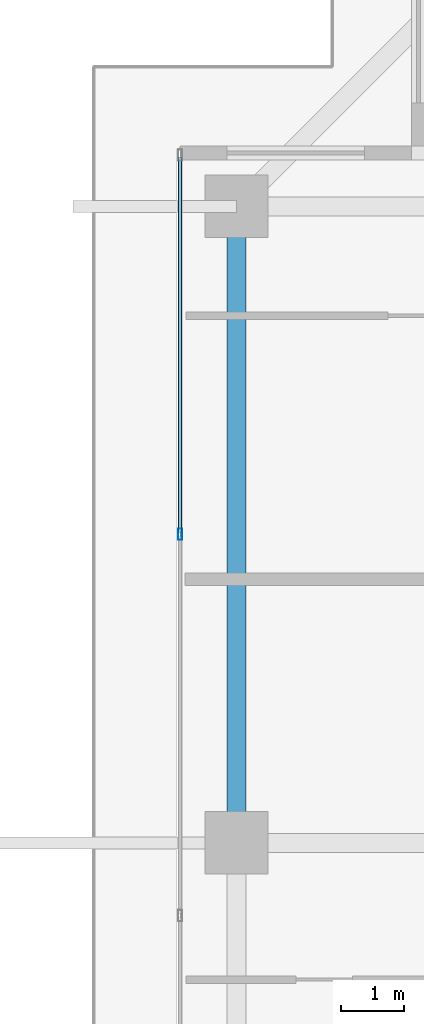
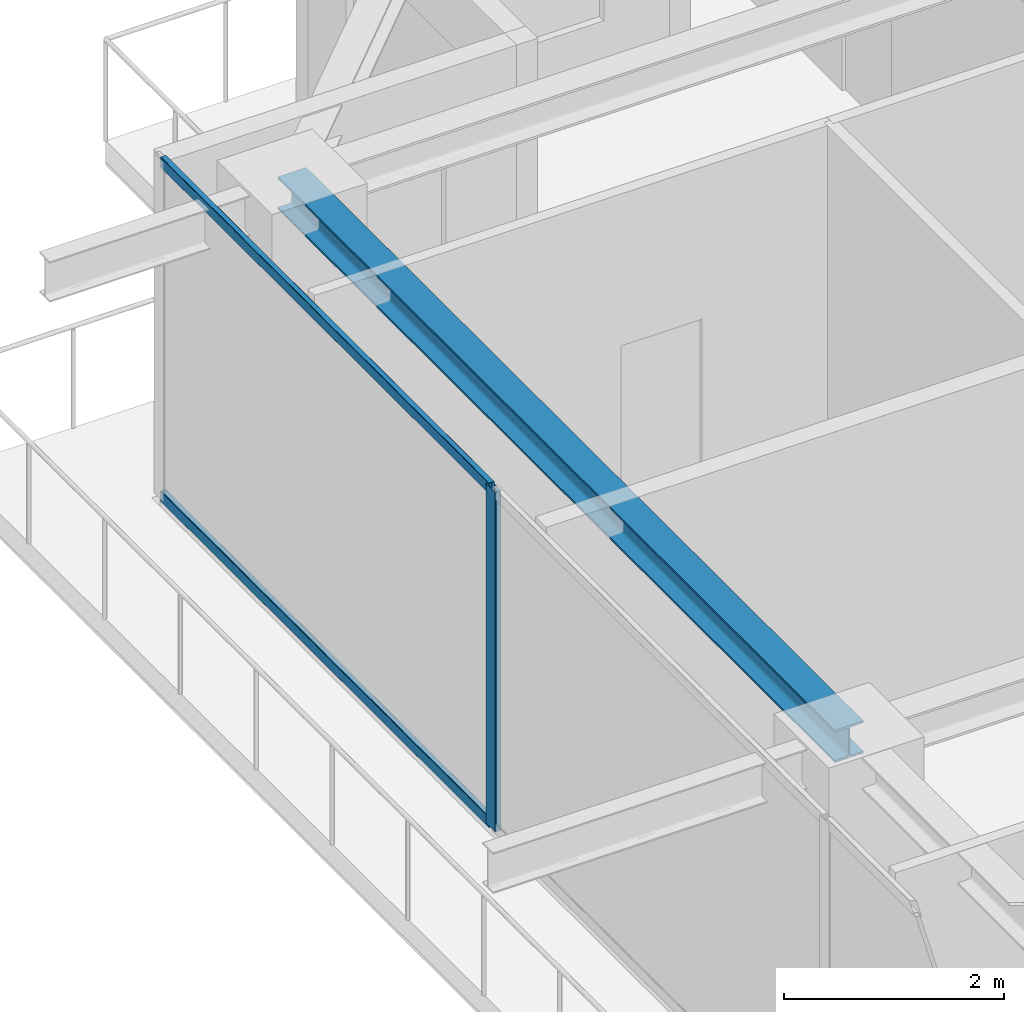
# One storey, part 18 of 41: 3 members, 1 beam, 1 element without a shape of its own.
"""IFC4 building model written with IfcOpenShell, lengths in metres."""

from ifc_helpers import new_model, si_unit, direction, frame, origin, origin_2d, place, context, subcontext, project, spatial, hollow_rectangle, i_section, extrude, source, transform, mapped, material, layer, layer_set, material_profile, profile_set, type_object, element, aggregate, save


model = new_model("IFC4")

# Units and contexts
model_context = context("Model", 3, precision=1e-05, world=origin(), true_north=direction((0.0, 1.0)))
body_context = subcontext(model_context, "Body", "Model", "MODEL_VIEW")
ifc_project = project(units=[si_unit("LENGTHUNIT", "METRE"), si_unit("AREAUNIT", "SQUARE_METRE"), si_unit("VOLUMEUNIT", "CUBIC_METRE"), si_unit("PLANEANGLEUNIT", "RADIAN"), si_unit("MASSUNIT", "GRAM", prefix="KILO")], contexts=[model_context])

# Site, building, storey
site_placement = place(None, origin())
site = spatial("IfcSite", under=ifc_project, at=site_placement, CompositionType="ELEMENT")
building_placement = place(site_placement, origin())
building = spatial("IfcBuilding", under=site, at=building_placement, Name="Serunith Strait Residences", CompositionType="ELEMENT")
storey_placement = place(building_placement, frame((0.0, 0.0, 301.550048828125)))
storey = spatial("IfcBuildingStorey", under=building, at=storey_placement, Name="L75", CompositionType="ELEMENT", Elevation=301.550048828125)

# Beam
ifc_material_1 = material(Name="Steel S355J2", Category="steel")
ifc_material_profile_1 = material_profile(ifc_material_1, i_section(OverallWidth=0.300048828125, OverallDepth=0.360107421875, WebThickness=0.012451171875, FlangeThickness=0.0224609375, FilletRadius=0.027099609375, at=origin_2d()), Name="HEB 360")
ifc_profile_set_1 = profile_set([ifc_material_profile_1], Name="Steel S355J2")
beam_type = type_object("IfcBeamType", Name="BM-HEB360", PredefinedType="BEAM", material=ifc_profile_set_1)
shared_shape_1 = source(origin(), body_context, "Body", "SweptSolid", [
    extrude(i_section(OverallWidth=0.300048828125, OverallDepth=0.360107421875, WebThickness=0.012451171875, FlangeThickness=0.0224609375, FilletRadius=0.027099609375, at=origin_2d()), origin(), (0.0, 0.0, 1.0), 10.150146484375),
])
beam_placement = place(storey_placement, frame((10.10009765625, 39.550048828125, 3.60693359375), z_axis=(0.0, -1.0, 0.0), x_axis=(1.0, 0.0, 0.0)))
element("IfcBeam", 1, at=beam_placement, inside=storey, type_object=beam_type, Name="L75 Perimeter Ring Beam 13", PredefinedType="BEAM", context=body_context, shape_type="MappedRepresentation", body=[
    mapped(shared_shape_1, transform((0.0, 0.0, 0.0), scale=1.0)),
])

# Curtain wall, members
ifc_material_2 = material(Name="Brushed Stainless-Silver Aluminium", Category="aluminium")
ifc_layer = layer(ifc_material_2, 0.199951171875, Name="Brushed Stainless-Silver Aluminium")
ifc_layer_set = layer_set([ifc_layer], Name="Brushed Stainless-Silver Aluminium")
curtain_wall_type = type_object("IfcCurtainWallType", Name="CW-SYS5", PredefinedType="NOTDEFINED", material=ifc_layer_set)
curtain_wall_placement = place(storey_placement, origin())
curtain_wall = element("IfcCurtainWall", 2, at=curtain_wall_placement, inside=storey, type_object=curtain_wall_type, Name="L75 W Unitised Fritted Curtain Wall", PredefinedType="NOTDEFINED")
ifc_material_profile_2 = material_profile(ifc_material_2, hollow_rectangle(XDim=0.06005859375, YDim=0.1201171875, WallThickness=0.00341796875, InnerFilletRadius=0.00537109375, OuterFilletRadius=0.0087890625, at=origin_2d()), Name="ALU 120x60x3.5")
ifc_profile_set_2 = profile_set([ifc_material_profile_2], Name="Brushed Stainless-Silver Aluminium")
member_type_1 = type_object("IfcMemberType", Name="CW-SYS5-TRAN", PredefinedType="USERDEFINED", material=ifc_profile_set_2)
shared_shape_2 = source(origin(), body_context, "Body", "SweptSolid", [
    extrude(hollow_rectangle(XDim=0.06005859375, YDim=0.1201171875, WallThickness=0.00341796875, InnerFilletRadius=0.00537109375, OuterFilletRadius=0.0087890625, at=origin_2d()), origin(), (0.0, 0.0, 1.0), 5.982421875),
])
member_1_placement = place(storey_placement, frame((9.199951171875, 40.3349609375, 0.030029296875), z_axis=(0.0, -1.0, 0.0), x_axis=(1.0, 0.0, 0.0)))
member_1 = element("IfcMember", 3, at=member_1_placement, type_object=member_type_1, Name="CW-5 transom 1.1", ObjectType="TRANSOM", PredefinedType="USERDEFINED", context=body_context, shape_type="MappedRepresentation", body=[
    mapped(shared_shape_2, transform((0.0, 0.0, 0.0), scale=1.0)),
])
member_2_placement = place(storey_placement, frame((9.199951171875, 40.3349609375, 3.744873046875), z_axis=(0.0, -1.0, 0.0), x_axis=(1.0, 0.0, 0.0)))
member_2 = element("IfcMember", 4, at=member_2_placement, type_object=member_type_1, Name="CW-5 transom 1.2", ObjectType="TRANSOM", PredefinedType="USERDEFINED", context=body_context, shape_type="MappedRepresentation", body=[
    mapped(shared_shape_2, transform((0.0, 0.0, 0.0), scale=1.0)),
])
ifc_material_profile_3 = material_profile(ifc_material_2, hollow_rectangle(XDim=0.06494140625, YDim=0.179931640625, WallThickness=0.00341796875, InnerFilletRadius=0.00537109375, OuterFilletRadius=0.0087890625, at=origin_2d()), Name="ALU 180x65x3.5")
ifc_profile_set_3 = profile_set([ifc_material_profile_3], Name="Brushed Stainless-Silver Aluminium")
member_type_2 = type_object("IfcMemberType", Name="CW-SYS5-MULL", PredefinedType="MULLION", material=ifc_profile_set_3)
shared_shape_3 = source(origin(), body_context, "Body", "SweptSolid", [
    extrude(hollow_rectangle(XDim=0.06494140625, YDim=0.179931640625, WallThickness=0.00341796875, InnerFilletRadius=0.00537109375, OuterFilletRadius=0.0087890625, at=origin_2d()), origin(), (0.0, 0.0, 1.0), 3.77490234375),
])
member_3_placement = place(storey_placement, frame((9.199951171875, 34.320068359375, 0.0), z_axis=(0.0, 0.0, 1.0), x_axis=(1.0, 0.0, 0.0)))
member_3 = element("IfcMember", 5, at=member_3_placement, type_object=member_type_2, Name="CW-5 mullion 2", PredefinedType="MULLION", context=body_context, shape_type="MappedRepresentation", body=[
    mapped(shared_shape_3, transform((0.0, 0.0, 0.0), scale=1.0)),
])
aggregate(curtain_wall, [member_3, member_1, member_2])

save(model, "model.ifc")
